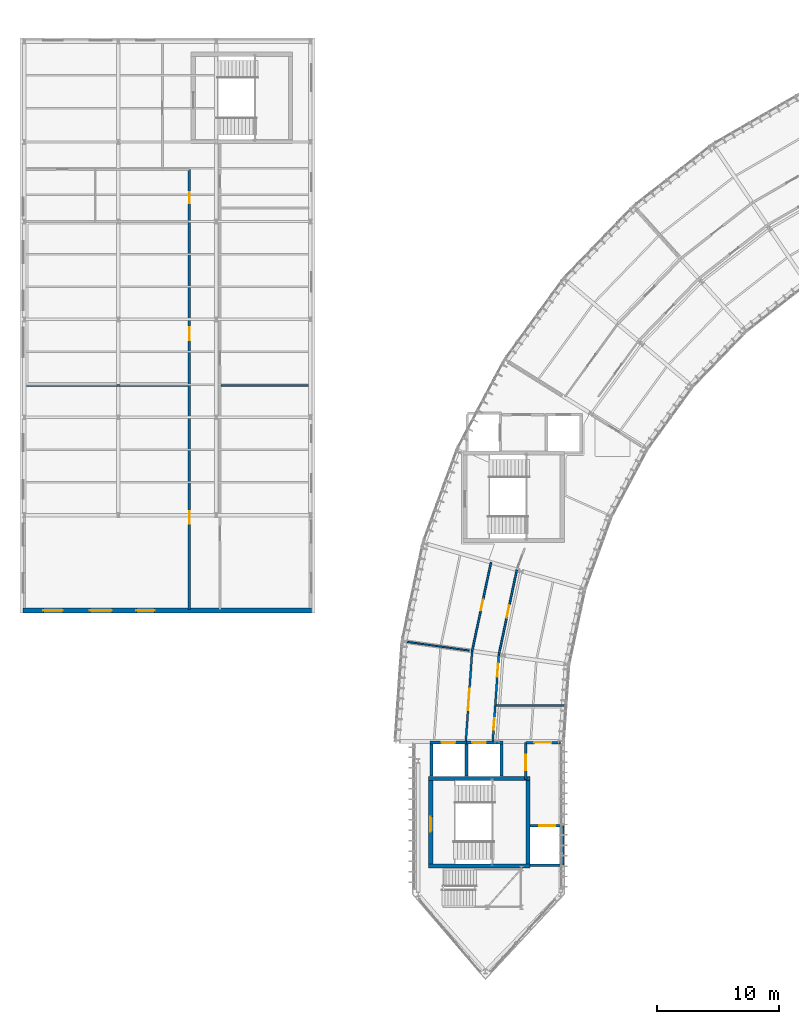
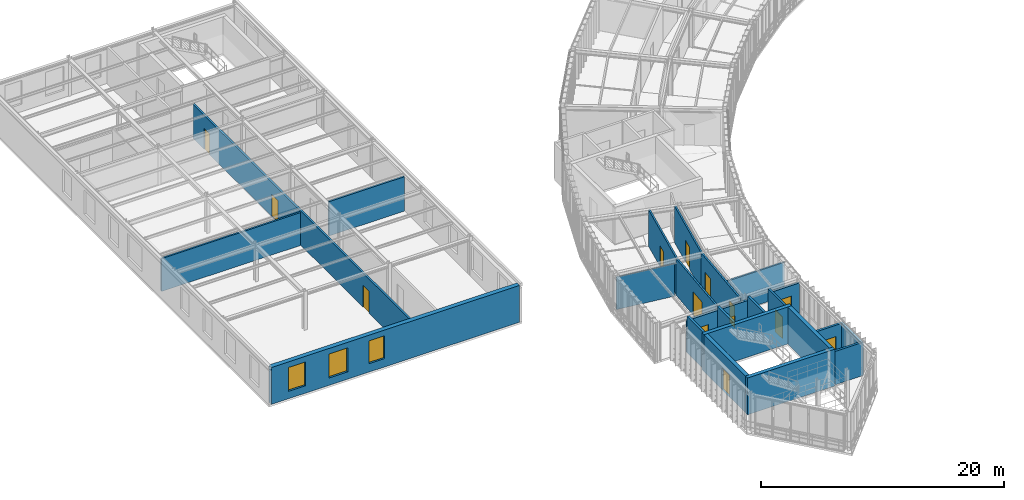
# One storey, part 27 of 41: 24 walls, 14 doors, 3 windows, 17 openings.
"""IFC4 building model written with IfcOpenShell, lengths in metres."""

from ifc_helpers import new_model, si_unit, direction, frame, frame_2d, origin, place, context, subcontext, project, spatial, rectangle, extrude, material, layer, layer_set, type_object, element, fill, save


model = new_model("IFC4")

# Units and contexts
model_context = context("Model", 3, precision=1e-05, world=origin(), true_north=direction((0.0, 1.0)))
body_context = subcontext(model_context, "Body", "Model", "MODEL_VIEW")
ifc_project = project(units=[si_unit("LENGTHUNIT", "METRE"), si_unit("AREAUNIT", "SQUARE_METRE"), si_unit("VOLUMEUNIT", "CUBIC_METRE"), si_unit("PLANEANGLEUNIT", "RADIAN"), si_unit("MASSUNIT", "GRAM", prefix="KILO"), si_unit("THERMODYNAMICTEMPERATUREUNIT", "KELVIN"), si_unit("POWERUNIT", "WATT")], contexts=[model_context])

# Site, building, storey
site_placement = place(None, origin())
site = spatial("IfcSite", under=ifc_project, at=site_placement, CompositionType="ELEMENT")
building_placement = place(site_placement, origin())
building = spatial("IfcBuilding", under=site, at=building_placement, Name="Solvatero Civic Police Headquarters", CompositionType="ELEMENT")
storey_placement = place(building_placement, frame((0.0, 0.0, 17.699951171875)))
storey = spatial("IfcBuildingStorey", under=building, at=storey_placement, Name="L04", CompositionType="ELEMENT", Elevation=17.699951171875)

# Wall, openings, windows
ifc_material_1 = material(Name="Cream Limestone Ashlar", Category="masonry")
ifc_layer_1 = layer(ifc_material_1, 0.419921875)
ifc_layer_set_1 = layer_set([ifc_layer_1], Name="Cream Limestone Ashlar")
wall_type_1 = type_object("IfcWallType", Name="WL-EXT-LIME-420", PredefinedType="SOLIDWALL", material=ifc_layer_set_1)
wall_1_placement = place(storey_placement, frame((4.719970703125, 36.7099609375, 0.0), z_axis=(0.0, 0.0, 1.0), x_axis=(1.0, 0.0, 0.0)))
wall_1 = element("IfcWall", 1, at=wall_1_placement, inside=storey, type_object=wall_type_1, Name="Exterior Wall WLE-L04-V6-S", PredefinedType="SOLIDWALL", context=body_context, shape_type="SweptSolid", body=[
    extrude(rectangle(XDim=23.56005859375, YDim=0.419921875, at=frame_2d((11.780029296875, 0.0))), origin(), (0.0, 0.0, 1.0), 3.699951171875),
])
opening_1_placement = place(wall_1_placement, frame((1.64990234375, 0.0, 0.739990234375)))
opening_1 = element("IfcOpeningElement", 2, at=opening_1_placement, cuts=wall_1, Name="Opening W-04", PredefinedType="OPENING", context=body_context, shape_type="SweptSolid", body=[
    extrude(rectangle(XDim=1.60009765625, YDim=2.39990234375, at=frame_2d((0.800048828125, 1.199951171875))), frame((0.0, 0.219970703125, 0.0), z_axis=(0.0, -1.0, 0.0), x_axis=(1.0, 0.0, 0.0)), (0.0, 0.0, 1.0), 0.43994140625),
])
opening_2_placement = place(wall_1_placement, frame((5.449951171875, 0.0, 0.739990234375)))
opening_2 = element("IfcOpeningElement", 3, at=opening_2_placement, cuts=wall_1, Name="Opening W-05", PredefinedType="OPENING", context=body_context, shape_type="SweptSolid", body=[
    extrude(rectangle(XDim=1.800048828125, YDim=2.39990234375, at=frame_2d((0.89990234375, 1.199951171875))), frame((0.0, 0.219970703125, 0.0), z_axis=(0.0, -1.0, 0.0), x_axis=(1.0, 0.0, 0.0)), (0.0, 0.0, 1.0), 0.43994140625),
])
opening_3_placement = place(wall_1_placement, frame((9.25, 0.0, 0.840087890625)))
opening_3 = element("IfcOpeningElement", 4, at=opening_3_placement, cuts=wall_1, Name="Opening W-03", PredefinedType="OPENING", context=body_context, shape_type="SweptSolid", body=[
    extrude(rectangle(XDim=1.5, YDim=2.300048828125, at=frame_2d((0.75, 1.14990234375))), frame((0.0, 0.219970703125, 0.0), z_axis=(0.0, -1.0, 0.0), x_axis=(1.0, 0.0, 0.0)), (0.0, 0.0, 1.0), 0.43994140625),
])
ifc_material_2 = material(Name="Anodized Bronze Aluminium", Category="aluminium")
window_type_1 = type_object("IfcWindowType", Name="WN-CL-150x230", PartitioningType="SINGLE_PANEL", PredefinedType="WINDOW", material=ifc_material_2)
window_1_placement = place(opening_3_placement, origin())
window_1 = element("IfcWindow", 5, at=window_1_placement, inside=storey, type_object=window_type_1, Name="Exterior Window 0120", OverallHeight=2.300048828125, OverallWidth=1.5, PartitioningType="SINGLE_PANEL", PredefinedType="WINDOW", context=body_context, shape_type="SweptSolid", body=[
    extrude(rectangle(XDim=1.5, YDim=2.300048828125, at=frame_2d((0.75, 1.14990234375))), frame((0.0, 0.030029296875, 0.0), z_axis=(0.0, -1.0, 0.0), x_axis=(1.0, 0.0, 0.0)), (0.0, 0.0, 1.0), 0.06005859375),
])
fill(opening_3, window_1)
window_type_2 = type_object("IfcWindowType", Name="WN-CL-160x240", PartitioningType="SINGLE_PANEL", PredefinedType="WINDOW", material=ifc_material_2)
window_2_placement = place(opening_1_placement, origin())
window_2 = element("IfcWindow", 6, at=window_2_placement, inside=storey, type_object=window_type_2, Name="Exterior Window 0118", OverallHeight=2.39990234375, OverallWidth=1.60009765625, PartitioningType="SINGLE_PANEL", PredefinedType="WINDOW", context=body_context, shape_type="SweptSolid", body=[
    extrude(rectangle(XDim=1.60009765625, YDim=2.39990234375, at=frame_2d((0.800048828125, 1.199951171875))), frame((0.0, 0.030029296875, 0.0), z_axis=(0.0, -1.0, 0.0), x_axis=(1.0, 0.0, 0.0)), (0.0, 0.0, 1.0), 0.06005859375),
])
fill(opening_1, window_2)
window_type_3 = type_object("IfcWindowType", Name="WN-CL-180x240", PartitioningType="SINGLE_PANEL", PredefinedType="WINDOW", material=ifc_material_2)
window_3_placement = place(opening_2_placement, origin())
window_3 = element("IfcWindow", 7, at=window_3_placement, inside=storey, type_object=window_type_3, Name="Exterior Window 0119", OverallHeight=2.39990234375, OverallWidth=1.800048828125, PartitioningType="SINGLE_PANEL", PredefinedType="WINDOW", context=body_context, shape_type="SweptSolid", body=[
    extrude(rectangle(XDim=1.800048828125, YDim=2.39990234375, at=frame_2d((0.89990234375, 1.199951171875))), frame((0.0, 0.030029296875, 0.0), z_axis=(0.0, -1.0, 0.0), x_axis=(1.0, 0.0, 0.0)), (0.0, 0.0, 1.0), 0.06005859375),
])
fill(opening_2, window_3)

# Wall
ifc_material_3 = material(Name="Gypsum Acoustic Stud", Category="gypsum")
ifc_layer_2 = layer(ifc_material_3, 0.1201171875)
ifc_layer_set_2 = layer_set([ifc_layer_2], Name="Gypsum Acoustic Stud")
wall_type_2 = type_object("IfcWallType", Name="WL-PTN-120", PredefinedType="PARTITIONING", material=ifc_layer_set_2)
wall_2_placement = place(storey_placement, frame((41.169189453125, 33.4248046875, 0.0), z_axis=(0.0, 0.0, 1.0), x_axis=(-0.990266484291, 0.13918437445, 0.0)))
element("IfcWall", 8, at=wall_2_placement, inside=storey, type_object=wall_type_2, Name="Interior Partition WLP-L04-ARC-RAD-B11", PredefinedType="PARTITIONING", context=body_context, shape_type="SweptSolid", body=[
    extrude(rectangle(XDim=5.14990234375, YDim=0.1201171875, at=frame_2d((2.574951171875, 0.0))), origin(), (0.0, 0.0, 1.0), 3.25),
])

# Wall, opening, door
ifc_layer_3 = layer(ifc_material_3, 0.14990234375)
ifc_layer_set_3 = layer_set([ifc_layer_3], Name="Gypsum Acoustic Stud")
wall_type_3 = type_object("IfcWallType", Name="WL-PTN-150", PredefinedType="PARTITIONING", material=ifc_layer_set_3)
wall_3_placement = place(storey_placement, frame((45.07177734375, 40.02978515625, 0.0), z_axis=(0.0, 0.0, 1.0), x_axis=(-0.207903987445, -0.978149238104, 0.0)))
wall_3 = element("IfcWall", 9, at=wall_3_placement, inside=storey, type_object=wall_type_3, Name="Interior Partition WLP-L04-ARC-CIN-B11", PredefinedType="PARTITIONING", context=body_context, shape_type="SweptSolid", body=[
    extrude(rectangle(XDim=7.10107421875, YDim=0.14990234375, at=frame_2d((3.550537109375, 0.0))), origin(), (0.0, 0.0, 1.0), 3.679931640625),
])
opening_4_placement = place(wall_3_placement, frame((2.98193359375, 0.0, 0.0)))
opening_4 = element("IfcOpeningElement", 10, at=opening_4_placement, cuts=wall_3, Name="Opening ID-06", PredefinedType="OPENING", context=body_context, shape_type="SweptSolid", body=[
    extrude(rectangle(XDim=1.02001953125, YDim=2.179931640625, at=frame_2d((0.510009765625, 1.08984375))), frame((0.0, 0.0849609375, 0.0), z_axis=(0.0, -1.0, 0.0), x_axis=(1.0, 0.0, 0.0)), (0.0, 0.0, 1.0), 0.169921875),
])
ifc_material_4 = material(Name="Powder-Coated Steel", Category="steel")
door_type_1 = type_object("IfcDoorType", Name="DR-LAB-102x218", OperationType="NOTDEFINED", PredefinedType="DOOR", material=ifc_material_4)
door_1_placement = place(opening_4_placement, origin())
door_1 = element("IfcDoor", 11, at=door_1_placement, inside=storey, type_object=door_type_1, Name="Interior Door DR-L04-ARC-IN-B11", OperationType="SINGLE_SWING_LEFT", OverallHeight=2.179931640625, OverallWidth=1.02001953125, PredefinedType="DOOR", context=body_context, shape_type="SweptSolid", body=[
    extrude(rectangle(XDim=1.02001953125, YDim=2.179931640625, at=frame_2d((0.510009765625, 1.08984375))), frame((0.0, 0.02490234375, 0.0), z_axis=(0.0, -1.0, 0.0), x_axis=(1.0, 0.0, 0.0)), (0.0, 0.0, 1.0), 0.050048828125),
])
fill(opening_4, door_1)

wall_4_placement = place(storey_placement, frame((42.95703125, 40.63623046875, 0.0), z_axis=(0.0, 0.0, 1.0), x_axis=(-0.207921820376, -0.978145447575, 0.0)))
wall_4 = element("IfcWall", 12, at=wall_4_placement, inside=storey, type_object=wall_type_3, Name="Interior Partition WLP-L04-ARC-COUT-B11", PredefinedType="PARTITIONING", context=body_context, shape_type="SweptSolid", body=[
    extrude(rectangle(XDim=7.407958984375, YDim=0.14990234375, at=frame_2d((3.7041015625, 0.0))), origin(), (0.0, 0.0, 1.0), 3.679931640625),
])
opening_5_placement = place(wall_4_placement, frame((3.111083984375, 0.0, 0.0)))
opening_5 = element("IfcOpeningElement", 13, at=opening_5_placement, cuts=wall_4, Name="Opening ID-02", PredefinedType="OPENING", context=body_context, shape_type="SweptSolid", body=[
    extrude(rectangle(XDim=0.89990234375, YDim=2.10009765625, at=frame_2d((0.449951171875, 1.050048828125))), frame((0.0, 0.0849609375, 0.0), z_axis=(0.0, -1.0, 0.0), x_axis=(1.0, 0.0, 0.0)), (0.0, 0.0, 1.0), 0.169921875),
])
ifc_material_5 = material(Name="Acoustic Oak Timber Veneer", Category="wood")
door_type_2 = type_object("IfcDoorType", Name="DR-OFF-090x210", OperationType="NOTDEFINED", PredefinedType="DOOR", material=ifc_material_5)
door_2_placement = place(opening_5_placement, origin())
door_2 = element("IfcDoor", 14, at=door_2_placement, inside=storey, type_object=door_type_2, Name="Interior Door DR-L04-ARC-OUT-B11", OperationType="SINGLE_SWING_RIGHT", OverallHeight=2.10009765625, OverallWidth=0.89990234375, PredefinedType="DOOR", context=body_context, shape_type="SweptSolid", body=[
    extrude(rectangle(XDim=0.89990234375, YDim=2.10009765625, at=frame_2d((0.449951171875, 1.050048828125))), frame((0.0, 0.02490234375, 0.0), z_axis=(0.0, -1.0, 0.0), x_axis=(1.0, 0.0, 0.0)), (0.0, 0.0, 1.0), 0.050048828125),
])
fill(opening_5, door_2)

# Walls
wall_5_placement = place(storey_placement, frame((43.374755859375, 28.929931640625, 0.0), z_axis=(0.0, 0.0, 1.0), x_axis=(1.0, 0.0, 0.0)))
element("IfcWall", 15, at=wall_5_placement, inside=storey, type_object=wall_type_3, Name="Interior Partition WLP-L04-ARC-WCDIV-B12", PredefinedType="PARTITIONING", context=body_context, shape_type="SweptSolid", body=[
    extrude(rectangle(XDim=5.630126953125, YDim=0.14990234375, at=frame_2d((2.81494140625, 0.0))), origin(), (0.0, 0.0, 1.0), 3.39794921875),
])
ifc_material_6 = material(Name="Concrete Blockwork", Category="masonry")
ifc_layer_4 = layer(ifc_material_6, 0.1650390625)
ifc_layer_set_4 = layer_set([ifc_layer_4], Name="Concrete Blockwork")
wall_type_4 = type_object("IfcWallType", Name="WL-PTN-165", PredefinedType="PARTITIONING", material=ifc_layer_set_4)
wall_6_placement = place(storey_placement, frame((5.0, 55.10009765625, 0.0), z_axis=(0.0, 0.0, 1.0), x_axis=(1.0, 0.0, 0.0)))
element("IfcWall", 16, at=wall_6_placement, inside=storey, type_object=wall_type_4, Name="Interior Partition WLP-L04-V6-H1", PredefinedType="PARTITIONING", context=body_context, shape_type="SweptSolid", body=[
    extrude(rectangle(XDim=13.199951171875, YDim=0.1650390625, at=frame_2d((6.60009765625, 0.0))), origin(), (0.0, 0.0, 1.0), 3.298095703125),
])
wall_7_placement = place(storey_placement, frame((20.89990234375, 55.10009765625, 0.0), z_axis=(0.0, 0.0, 1.0), x_axis=(1.0, 0.0, 0.0)))
element("IfcWall", 17, at=wall_7_placement, inside=storey, type_object=wall_type_4, Name="Interior Partition WLP-L04-V6-H2", PredefinedType="PARTITIONING", context=body_context, shape_type="SweptSolid", body=[
    extrude(rectangle(XDim=7.150146484375, YDim=0.1650390625, at=frame_2d((3.5751953125, 0.0))), origin(), (0.0, 0.0, 1.0), 3.449951171875),
])

# Wall, openings, doors
wall_8_placement = place(storey_placement, frame((43.595458984375, 33.083984375, 0.0), z_axis=(0.0, 0.0, 1.0), x_axis=(-0.069756597752, -0.997564041588, 0.0)))
wall_8 = element("IfcWall", 18, at=wall_8_placement, inside=storey, type_object=wall_type_4, Name="Interior Partition WLP-L04-ARC-CIN-B12", PredefinedType="PARTITIONING", context=body_context, shape_type="SweptSolid", body=[
    extrude(rectangle(XDim=7.101318359375, YDim=0.1650390625, at=frame_2d((3.55078125, 0.0))), origin(), (0.0, 0.0, 1.0), 3.679931640625),
])
opening_6_placement = place(wall_8_placement, frame((5.200927734375, 0.0, 0.0)))
opening_6 = element("IfcOpeningElement", 19, at=opening_6_placement, cuts=wall_8, Name="Opening ID-04", PredefinedType="OPENING", context=body_context, shape_type="SweptSolid", body=[
    extrude(rectangle(XDim=0.949951171875, YDim=2.14990234375, at=frame_2d((0.47509765625, 1.074951171875))), frame((0.0, 0.092529296875, 0.0), z_axis=(0.0, -1.0, 0.0), x_axis=(1.0, 0.0, 0.0)), (0.0, 0.0, 1.0), 0.18505859375),
])
opening_7_placement = place(wall_8_placement, frame((0.75, 0.0, 0.0)))
opening_7 = element("IfcOpeningElement", 20, at=opening_7_placement, cuts=wall_8, Name="Opening ID-07", PredefinedType="OPENING", context=body_context, shape_type="SweptSolid", body=[
    extrude(rectangle(XDim=1.050048828125, YDim=2.199951171875, at=frame_2d((0.52490234375, 1.10009765625))), frame((0.0, 0.092529296875, 0.0), z_axis=(0.0, -1.0, 0.0), x_axis=(1.0, 0.0, 0.0)), (0.0, 0.0, 1.0), 0.18505859375),
])
door_type_3 = type_object("IfcDoorType", Name="DR-ACC-095x215", OperationType="NOTDEFINED", PredefinedType="DOOR", material=ifc_material_5)
door_3_placement = place(opening_6_placement, origin())
door_3 = element("IfcDoor", 21, at=door_3_placement, inside=storey, type_object=door_type_3, Name="Interior Door DR-L04-ARC-WC-B12", OperationType="SINGLE_SWING_LEFT", OverallHeight=2.14990234375, OverallWidth=0.949951171875, PredefinedType="DOOR", context=body_context, shape_type="SweptSolid", body=[
    extrude(rectangle(XDim=0.949951171875, YDim=2.14990234375, at=frame_2d((0.47509765625, 1.074951171875))), frame((0.0, 0.02490234375, 0.0), z_axis=(0.0, -1.0, 0.0), x_axis=(1.0, 0.0, 0.0)), (0.0, 0.0, 1.0), 0.050048828125),
])
fill(opening_6, door_3)
door_type_4 = type_object("IfcDoorType", Name="DR-LAB-105x220", OperationType="NOTDEFINED", PredefinedType="DOOR", material=ifc_material_4)
door_4_placement = place(opening_7_placement, origin())
door_4 = element("IfcDoor", 22, at=door_4_placement, inside=storey, type_object=door_type_4, Name="Interior Door DR-L04-ARC-IN-B12", OperationType="SINGLE_SWING_RIGHT", OverallHeight=2.199951171875, OverallWidth=1.050048828125, PredefinedType="DOOR", context=body_context, shape_type="SweptSolid", body=[
    extrude(rectangle(XDim=1.050048828125, YDim=2.199951171875, at=frame_2d((0.52490234375, 1.10009765625))), frame((0.0, 0.02490234375, 0.0), z_axis=(0.0, -1.0, 0.0), x_axis=(1.0, 0.0, 0.0)), (0.0, 0.0, 1.0), 0.050048828125),
])
fill(opening_7, door_4)

# Wall, opening, door
wall_9_placement = place(storey_placement, frame((41.416748046875, 33.39013671875, 0.0), z_axis=(0.0, 0.0, 1.0), x_axis=(-0.069766817412, -0.997563326906, 0.0)))
wall_9 = element("IfcWall", 23, at=wall_9_placement, inside=storey, type_object=wall_type_4, Name="Interior Partition WLP-L04-ARC-COUT-B12", PredefinedType="PARTITIONING", context=body_context, shape_type="SweptSolid", body=[
    extrude(rectangle(XDim=7.408203125, YDim=0.1650390625, at=frame_2d((3.7041015625, 0.0))), origin(), (0.0, 0.0, 1.0), 3.679931640625),
])
opening_8_placement = place(wall_9_placement, frame((3.111083984375, 0.0, 0.0)))
opening_8 = element("IfcOpeningElement", 24, at=opening_8_placement, cuts=wall_9, Name="Opening ID-17", PredefinedType="OPENING", context=body_context, shape_type="SweptSolid", body=[
    extrude(rectangle(XDim=1.760009765625, YDim=2.360107421875, at=frame_2d((0.8798828125, 1.18017578125))), frame((0.0, 0.092529296875, 0.0), z_axis=(0.0, -1.0, 0.0), x_axis=(1.0, 0.0, 0.0)), (0.0, 0.0, 1.0), 0.18505859375),
])
door_type_5 = type_object("IfcDoorType", Name="DR-DBL-176x236", OperationType="NOTDEFINED", PredefinedType="DOOR", material=ifc_material_4)
door_5_placement = place(opening_8_placement, origin())
door_5 = element("IfcDoor", 25, at=door_5_placement, inside=storey, type_object=door_type_5, Name="Interior Door DR-L04-ARC-OUT-B12", OperationType="DOUBLE_DOOR_SINGLE_SWING", OverallHeight=2.360107421875, OverallWidth=1.760009765625, PredefinedType="DOOR", context=body_context, shape_type="SweptSolid", body=[
    extrude(rectangle(XDim=1.760009765625, YDim=2.360107421875, at=frame_2d((0.8798828125, 1.18017578125))), frame((0.0, 0.02490234375, 0.0), z_axis=(0.0, -1.0, 0.0), x_axis=(1.0, 0.0, 0.0)), (0.0, 0.0, 1.0), 0.050048828125),
])
fill(opening_8, door_5)

# Wall, openings, doors
ifc_layer_5 = layer(ifc_material_6, 0.179931640625)
ifc_layer_set_5 = layer_set([ifc_layer_5], Name="Concrete Blockwork")
wall_type_5 = type_object("IfcWallType", Name="WL-PTN-180", PredefinedType="PARTITIONING", material=ifc_layer_set_5)
wall_10_placement = place(storey_placement, frame((18.300048828125, 36.800048828125, 0.0), z_axis=(0.0, 0.0, 1.0), x_axis=(0.0, 1.0, 0.0)))
wall_10 = element("IfcWall", 26, at=wall_10_placement, inside=storey, type_object=wall_type_5, Name="Interior Partition WLP-L04-V6-CW", PredefinedType="PARTITIONING", context=body_context, shape_type="SweptSolid", body=[
    extrude(rectangle(XDim=35.949951171875, YDim=0.179931640625, at=frame_2d((17.97509765625, 0.0))), origin(), (0.0, 0.0, 1.0), 3.41796875),
])
opening_9_placement = place(wall_10_placement, frame((7.0, 0.0, 0.0)))
opening_9 = element("IfcOpeningElement", 27, at=opening_9_placement, cuts=wall_10, Name="Opening ID-06", PredefinedType="OPENING", context=body_context, shape_type="SweptSolid", body=[
    extrude(rectangle(XDim=1.02001953125, YDim=2.179931640625, at=frame_2d((0.510009765625, 1.08984375))), frame((0.0, 0.099853515625, 0.0), z_axis=(0.0, -1.0, 0.0), x_axis=(1.0, 0.0, 0.0)), (0.0, 0.0, 1.0), 0.199951171875),
])
opening_10_placement = place(wall_10_placement, frame((22.0, 0.0, 0.0)))
opening_10 = element("IfcOpeningElement", 28, at=opening_10_placement, cuts=wall_10, Name="Opening ID-07", PredefinedType="OPENING", context=body_context, shape_type="SweptSolid", body=[
    extrude(rectangle(XDim=1.050048828125, YDim=2.199951171875, at=frame_2d((0.52490234375, 1.10009765625))), frame((0.0, 0.099853515625, 0.0), z_axis=(0.0, -1.0, 0.0), x_axis=(1.0, 0.0, 0.0)), (0.0, 0.0, 1.0), 0.199951171875),
])
opening_11_placement = place(wall_10_placement, frame((33.199951171875, 0.0, 0.0)))
opening_11 = element("IfcOpeningElement", 29, at=opening_11_placement, cuts=wall_10, Name="Opening ID-02", PredefinedType="OPENING", context=body_context, shape_type="SweptSolid", body=[
    extrude(rectangle(XDim=0.89990234375, YDim=2.10009765625, at=frame_2d((0.449951171875, 1.050048828125))), frame((0.0, 0.099853515625, 0.0), z_axis=(0.0, -1.0, 0.0), x_axis=(1.0, 0.0, 0.0)), (0.0, 0.0, 1.0), 0.199951171875),
])
door_6_placement = place(opening_9_placement, origin())
door_6 = element("IfcDoor", 30, at=door_6_placement, inside=storey, type_object=door_type_1, Name="Interior Door DR-L04-V6-SW", OperationType="SINGLE_SWING_LEFT", OverallHeight=2.179931640625, OverallWidth=1.02001953125, PredefinedType="DOOR", context=body_context, shape_type="SweptSolid", body=[
    extrude(rectangle(XDim=1.02001953125, YDim=2.179931640625, at=frame_2d((0.510009765625, 1.08984375))), frame((0.0, 0.02490234375, 0.0), z_axis=(0.0, -1.0, 0.0), x_axis=(1.0, 0.0, 0.0)), (0.0, 0.0, 1.0), 0.050048828125),
])
fill(opening_9, door_6)
door_7_placement = place(opening_10_placement, origin())
door_7 = element("IfcDoor", 31, at=door_7_placement, inside=storey, type_object=door_type_4, Name="Interior Door DR-L04-V6-NW", OperationType="SINGLE_SWING_RIGHT", OverallHeight=2.199951171875, OverallWidth=1.050048828125, PredefinedType="DOOR", context=body_context, shape_type="SweptSolid", body=[
    extrude(rectangle(XDim=1.050048828125, YDim=2.199951171875, at=frame_2d((0.52490234375, 1.10009765625))), frame((0.0, 0.02490234375, 0.0), z_axis=(0.0, -1.0, 0.0), x_axis=(1.0, 0.0, 0.0)), (0.0, 0.0, 1.0), 0.050048828125),
])
fill(opening_10, door_7)
door_8_placement = place(opening_11_placement, origin())
door_8 = element("IfcDoor", 32, at=door_8_placement, inside=storey, type_object=door_type_2, Name="Interior Door DR-L04-WCF", OperationType="SINGLE_SWING_RIGHT", OverallHeight=2.10009765625, OverallWidth=0.89990234375, PredefinedType="DOOR", context=body_context, shape_type="SweptSolid", body=[
    extrude(rectangle(XDim=0.89990234375, YDim=2.10009765625, at=frame_2d((0.449951171875, 1.050048828125))), frame((0.0, 0.02490234375, 0.0), z_axis=(0.0, -1.0, 0.0), x_axis=(1.0, 0.0, 0.0)), (0.0, 0.0, 1.0), 0.050048828125),
])
fill(opening_11, door_8)

# Wall, opening, door
ifc_layer_6 = layer(ifc_material_6, 0.199951171875)
ifc_layer_set_6 = layer_set([ifc_layer_6], Name="Concrete Blockwork")
wall_type_6 = type_object("IfcWallType", Name="WL-PTN-200", PredefinedType="PARTITIONING", material=ifc_layer_set_6)
wall_11_placement = place(storey_placement, frame((45.800048828125, 22.89990234375, 0.0), z_axis=(0.0, 0.0, 1.0), x_axis=(0.0, 1.0, 0.0)))
wall_11 = element("IfcWall", 33, at=wall_11_placement, inside=storey, type_object=wall_type_6, Name="Interior Partition WLP-FFL-C1-L04-W", PredefinedType="PARTITIONING", context=body_context, shape_type="SweptSolid", body=[
    extrude(rectangle(XDim=3.0, YDim=0.199951171875, at=frame_2d((1.5, 0.0))), origin(), (0.0, 0.0, 1.0), 3.679931640625),
])
opening_12_placement = place(wall_11_placement, frame((0.75, 0.0, 0.0)))
opening_12 = element("IfcOpeningElement", 34, at=opening_12_placement, cuts=wall_11, Name="Opening FD-01", PredefinedType="OPENING", context=body_context, shape_type="SweptSolid", body=[
    extrude(rectangle(XDim=1.25, YDim=2.199951171875, at=frame_2d((0.625, 1.10009765625))), frame((0.0, 0.10986328125, 0.0), z_axis=(0.0, -1.0, 0.0), x_axis=(1.0, 0.0, 0.0)), (0.0, 0.0, 1.0), 0.219970703125),
])
door_type_6 = type_object("IfcDoorType", Name="DR-STR-125x220", OperationType="NOTDEFINED", PredefinedType="DOOR", material=ifc_material_4)
door_9_placement = place(opening_12_placement, origin())
door_9 = element("IfcDoor", 35, at=door_9_placement, inside=storey, type_object=door_type_6, Name="Interior Door DR-FFL-C1-L04-W", OperationType="SINGLE_SWING_LEFT", OverallHeight=2.199951171875, OverallWidth=1.25, PredefinedType="DOOR", context=body_context, shape_type="SweptSolid", body=[
    extrude(rectangle(XDim=1.25, YDim=2.199951171875, at=frame_2d((0.625, 1.10009765625))), frame((0.0, 0.02490234375, 0.0), z_axis=(0.0, -1.0, 0.0), x_axis=(1.0, 0.0, 0.0)), (0.0, 0.0, 1.0), 0.050048828125),
])
fill(opening_12, door_9)

wall_12_placement = place(storey_placement, frame((45.800048828125, 25.89990234375, 0.0), z_axis=(0.0, 0.0, 1.0), x_axis=(1.0, 0.0, 0.0)))
wall_12 = element("IfcWall", 36, at=wall_12_placement, inside=storey, type_object=wall_type_6, Name="Interior Partition WLP-FFL-C1-L04-N", PredefinedType="PARTITIONING", context=body_context, shape_type="SweptSolid", body=[
    extrude(rectangle(XDim=2.849853515625, YDim=0.199951171875, at=frame_2d((1.4248046875, 0.0))), origin(), (0.0, 0.0, 1.0), 3.300048828125),
])
opening_13_placement = place(wall_12_placement, frame((0.699951171875, 0.0, 0.0)))
opening_13 = element("IfcOpeningElement", 37, at=opening_13_placement, cuts=wall_12, Name="Opening FD-02", PredefinedType="OPENING", context=body_context, shape_type="SweptSolid", body=[
    extrude(rectangle(XDim=1.39990234375, YDim=2.25, at=frame_2d((0.699951171875, 1.125))), frame((0.0, 0.10986328125, 0.0), z_axis=(0.0, -1.0, 0.0), x_axis=(1.0, 0.0, 0.0)), (0.0, 0.0, 1.0), 0.219970703125),
])
door_type_7 = type_object("IfcDoorType", Name="DR-LOB-140x225", OperationType="NOTDEFINED", PredefinedType="DOOR", material=ifc_material_4)
door_10_placement = place(opening_13_placement, origin())
door_10 = element("IfcDoor", 38, at=door_10_placement, inside=storey, type_object=door_type_7, Name="Interior Door DR-FFL-C1-L04-ACC", OperationType="DOUBLE_DOOR_SINGLE_SWING", OverallHeight=2.25, OverallWidth=1.39990234375, PredefinedType="DOOR", context=body_context, shape_type="SweptSolid", body=[
    extrude(rectangle(XDim=1.39990234375, YDim=2.25, at=frame_2d((0.699951171875, 1.125))), frame((0.0, 0.02490234375, 0.0), z_axis=(0.0, -1.0, 0.0), x_axis=(1.0, 0.0, 0.0)), (0.0, 0.0, 1.0), 0.050048828125),
])
fill(opening_13, door_10)

# Wall
ifc_material_7 = material(Name="Concrete C35/45", Category="concrete")
ifc_layer_7 = layer(ifc_material_7, 0.219970703125)
ifc_layer_set_7 = layer_set([ifc_layer_7], Name="Concrete C35/45")
wall_type_7 = type_object("IfcWallType", Name="WL-SHF-220", PredefinedType="PARTITIONING", material=ifc_layer_set_7)
wall_13_placement = place(storey_placement, frame((46.159912109375, 15.889892578125, 0.0), z_axis=(0.0, 0.0, 1.0), x_axis=(1.0, 0.0, 0.0)))
element("IfcWall", 39, at=wall_13_placement, inside=storey, type_object=wall_type_7, Name="Lift Shaft Wall WLS-FL-01-L04-S", PredefinedType="PARTITIONING", context=body_context, shape_type="SweptSolid", body=[
    extrude(rectangle(XDim=2.760009765625, YDim=0.219970703125, at=frame_2d((1.3798828125, 0.0))), origin(), (0.0, 0.0, 1.0), 3.338134765625),
])

# Wall, opening, door
wall_14_placement = place(storey_placement, frame((46.159912109375, 19.110107421875, 0.0), z_axis=(0.0, 0.0, 1.0), x_axis=(1.0, 0.0, 0.0)))
wall_14 = element("IfcWall", 40, at=wall_14_placement, inside=storey, type_object=wall_type_7, Name="Lift Shaft Wall WLS-FL-01-L04-N", PredefinedType="PARTITIONING", context=body_context, shape_type="SweptSolid", body=[
    extrude(rectangle(XDim=2.760009765625, YDim=0.219970703125, at=frame_2d((1.3798828125, 0.0))), origin(), (0.0, 0.0, 1.0), 3.338134765625),
])
opening_14_placement = place(wall_14_placement, frame((0.72998046875, 0.0, 0.0)))
opening_14 = element("IfcOpeningElement", 41, at=opening_14_placement, cuts=wall_14, Name="Opening LD-02", PredefinedType="OPENING", context=body_context, shape_type="SweptSolid", body=[
    extrude(rectangle(XDim=1.300048828125, YDim=2.199951171875, at=frame_2d((0.64990234375, 1.10009765625))), frame((0.0, 0.119873046875, 0.0), z_axis=(0.0, -1.0, 0.0), x_axis=(1.0, 0.0, 0.0)), (0.0, 0.0, 1.0), 0.239990234375),
])
ifc_material_8 = material(Name="Stainless Steel Grade 316", Category="steel")
door_type_8 = type_object("IfcDoorType", Name="DR-LFT-130x220", OperationType="DOUBLE_DOOR_SLIDING", PredefinedType="DOOR", material=ifc_material_8)
door_11_placement = place(opening_14_placement, origin())
door_11 = element("IfcDoor", 42, at=door_11_placement, inside=storey, type_object=door_type_8, Name="Interior Door DR-LFT-FL-01-L04", OperationType="DOUBLE_DOOR_SLIDING", OverallHeight=2.199951171875, OverallWidth=1.300048828125, PredefinedType="DOOR", context=body_context, shape_type="SweptSolid", body=[
    extrude(rectangle(XDim=1.300048828125, YDim=2.199951171875, at=frame_2d((0.64990234375, 1.10009765625))), frame((0.0, 0.02490234375, 0.0), z_axis=(0.0, -1.0, 0.0), x_axis=(1.0, 0.0, 0.0)), (0.0, 0.0, 1.0), 0.050048828125),
])
fill(opening_14, door_11)

# Wall
wall_15_placement = place(storey_placement, frame((48.81005859375, 16.0, 0.0), z_axis=(0.0, 0.0, 1.0), x_axis=(0.0, 1.0, 0.0)))
element("IfcWall", 43, at=wall_15_placement, inside=storey, type_object=wall_type_7, Name="Lift Shaft Wall WLS-FL-01-L04-E", PredefinedType="PARTITIONING", context=body_context, shape_type="SweptSolid", body=[
    extrude(rectangle(XDim=3.0, YDim=0.219970703125, at=frame_2d((1.5, 0.0))), origin(), (0.0, 0.0, 1.0), 3.340087890625),
])

# Wall, opening, door
wall_16_placement = place(storey_placement, frame((37.97998046875, 25.909912109375, 0.0), z_axis=(0.0, 0.0, 1.0), x_axis=(1.0, 0.0, 0.0)))
wall_16 = element("IfcWall", 44, at=wall_16_placement, inside=storey, type_object=wall_type_7, Name="Lift Shaft Wall WLS-LP-01-L04-N", PredefinedType="PARTITIONING", context=body_context, shape_type="SweptSolid", body=[
    extrude(rectangle(XDim=2.969970703125, YDim=0.219970703125, at=frame_2d((1.48486328125, 0.0))), origin(), (0.0, 0.0, 1.0), 3.25),
])
opening_15_placement = place(wall_16_placement, frame((0.93505859375, 0.0, 0.0)))
opening_15 = element("IfcOpeningElement", 45, at=opening_15_placement, cuts=wall_16, Name="Opening LD-01", PredefinedType="OPENING", context=body_context, shape_type="SweptSolid", body=[
    extrude(rectangle(XDim=1.10009765625, YDim=2.14990234375, at=frame_2d((0.550048828125, 1.074951171875))), frame((0.0, 0.119873046875, 0.0), z_axis=(0.0, -1.0, 0.0), x_axis=(1.0, 0.0, 0.0)), (0.0, 0.0, 1.0), 0.239990234375),
])
door_type_9 = type_object("IfcDoorType", Name="DR-LFT-110x215", OperationType="DOUBLE_DOOR_SLIDING", PredefinedType="DOOR", material=ifc_material_8)
door_12_placement = place(opening_15_placement, origin())
door_12 = element("IfcDoor", 46, at=door_12_placement, inside=storey, type_object=door_type_9, Name="Interior Door DR-LFT-LP-01-L04", OperationType="DOUBLE_DOOR_SLIDING", OverallHeight=2.14990234375, OverallWidth=1.10009765625, PredefinedType="DOOR", context=body_context, shape_type="SweptSolid", body=[
    extrude(rectangle(XDim=1.10009765625, YDim=2.14990234375, at=frame_2d((0.550048828125, 1.074951171875))), frame((0.0, 0.02490234375, 0.0), z_axis=(0.0, -1.0, 0.0), x_axis=(1.0, 0.0, 0.0)), (0.0, 0.0, 1.0), 0.050048828125),
])
fill(opening_15, door_12)

# Walls
for number, where, z_axis, x_axis, name in (
    (47, (38.090087890625, 23.159912109375, 0.0), (0.0, 0.0, 1.0), (0.0, 1.0, 0.0), "Lift Shaft Wall WLS-LP-01-L04-W"),
    (48, (40.949951171875, 23.159912109375, 0.0), (0.0, 0.0, 1.0), (0.0, 1.0, 0.0), "Lift Shaft Wall WLS-LP-01-L04-E"),
):
    element("IfcWall", number, at=place(storey_placement, frame(where, z_axis=z_axis, x_axis=x_axis)), inside=storey, type_object=wall_type_7, Name=name, PredefinedType="PARTITIONING", context=body_context, shape_type="SweptSolid", body=[
        extrude(rectangle(XDim=2.64013671875, YDim=0.219970703125, at=frame_2d((1.320068359375, 0.0))), origin(), (0.0, 0.0, 1.0), 3.679931640625),
    ])

# Wall, opening, door
wall_17_placement = place(storey_placement, frame((40.949951171875, 25.909912109375, 0.0), z_axis=(0.0, 0.0, 1.0), x_axis=(1.0, 0.0, 0.0)))
wall_17 = element("IfcWall", 49, at=wall_17_placement, inside=storey, type_object=wall_type_7, Name="Lift Shaft Wall WLS-LP-02-L04-N", PredefinedType="PARTITIONING", context=body_context, shape_type="SweptSolid", body=[
    extrude(rectangle(XDim=2.969970703125, YDim=0.219970703125, at=frame_2d((1.48486328125, 0.0))), origin(), (0.0, 0.0, 1.0), 3.25),
])
opening_16_placement = place(wall_17_placement, frame((0.485107421875, 0.0, 0.0)))
opening_16 = element("IfcOpeningElement", 50, at=opening_16_placement, cuts=wall_17, Name="Opening LD-01", PredefinedType="OPENING", context=body_context, shape_type="SweptSolid", body=[
    extrude(rectangle(XDim=1.10009765625, YDim=2.14990234375, at=frame_2d((0.550048828125, 1.074951171875))), frame((0.0, 0.119873046875, 0.0), z_axis=(0.0, -1.0, 0.0), x_axis=(1.0, 0.0, 0.0)), (0.0, 0.0, 1.0), 0.239990234375),
])
door_13_placement = place(opening_16_placement, origin())
door_13 = element("IfcDoor", 51, at=door_13_placement, inside=storey, type_object=door_type_9, Name="Interior Door DR-LFT-LP-02-L04", OperationType="DOUBLE_DOOR_SLIDING", OverallHeight=2.14990234375, OverallWidth=1.10009765625, PredefinedType="DOOR", context=body_context, shape_type="SweptSolid", body=[
    extrude(rectangle(XDim=1.10009765625, YDim=2.14990234375, at=frame_2d((0.550048828125, 1.074951171875))), frame((0.0, 0.02490234375, 0.0), z_axis=(0.0, -1.0, 0.0), x_axis=(1.0, 0.0, 0.0)), (0.0, 0.0, 1.0), 0.050048828125),
])
fill(opening_16, door_13)

# Walls
wall_18_placement = place(storey_placement, frame((43.81005859375, 23.159912109375, 0.0), z_axis=(0.0, 0.0, 1.0), x_axis=(0.0, 1.0, 0.0)))
element("IfcWall", 52, at=wall_18_placement, inside=storey, type_object=wall_type_7, Name="Lift Shaft Wall WLS-LP-02-L04-E", PredefinedType="PARTITIONING", context=body_context, shape_type="SweptSolid", body=[
    extrude(rectangle(XDim=2.64013671875, YDim=0.219970703125, at=frame_2d((1.320068359375, 0.0))), origin(), (0.0, 0.0, 1.0), 3.679931640625),
])
ifc_material_9 = material(Name="Concrete C40/50", Category="concrete")
ifc_layer_8 = layer(ifc_material_9, 0.35009765625)
ifc_layer_set_8 = layer_set([ifc_layer_8], Name="Concrete C40/50")
wall_type_8 = type_object("IfcWallType", Name="WL-SHR-350", PredefinedType="SHEAR", material=ifc_layer_set_8)
for number, where, z_axis, x_axis, name in (
    (53, (37.85009765625, 15.824951171875, 0.0), (0.0, 0.0, 1.0), (1.0, 0.0, 0.0), "Core C1 Shear Wall S L04"),
    (54, (37.85009765625, 22.97509765625, 0.0), (0.0, 0.0, 1.0), (1.0, 0.0, 0.0), "Core C1 Shear Wall N L04"),
):
    element("IfcWall", number, at=place(storey_placement, frame(where, z_axis=z_axis, x_axis=x_axis)), inside=storey, type_object=wall_type_8, Name=name, PredefinedType="SHEAR", context=body_context, shape_type="SweptSolid", body=[
        extrude(rectangle(XDim=8.2998046875, YDim=0.35009765625, at=frame_2d((4.14990234375, 0.0))), origin(), (0.0, 0.0, 1.0), 3.699951171875),
    ])

# Wall, opening, door
wall_19_placement = place(storey_placement, frame((38.02490234375, 16.0, 0.0), z_axis=(0.0, 0.0, 1.0), x_axis=(0.0, 1.0, 0.0)))
wall_19 = element("IfcWall", 55, at=wall_19_placement, inside=storey, type_object=wall_type_8, Name="Core C1 Shear Wall W L04", PredefinedType="SHEAR", context=body_context, shape_type="SweptSolid", body=[
    extrude(rectangle(XDim=6.800048828125, YDim=0.35009765625, at=frame_2d((3.39990234375, 0.0))), origin(), (0.0, 0.0, 1.0), 3.699951171875),
])
opening_17_placement = place(wall_19_placement, frame((2.60009765625, 0.0, 0.0)))
opening_17 = element("IfcOpeningElement", 56, at=opening_17_placement, cuts=wall_19, Name="Opening FD-01", PredefinedType="OPENING", context=body_context, shape_type="SweptSolid", body=[
    extrude(rectangle(XDim=1.25, YDim=2.199951171875, at=frame_2d((0.625, 1.10009765625))), frame((0.0, 0.18505859375, 0.0), z_axis=(0.0, -1.0, 0.0), x_axis=(1.0, 0.0, 0.0)), (0.0, 0.0, 1.0), 0.3701171875),
])
door_14_placement = place(opening_17_placement, origin())
door_14 = element("IfcDoor", 57, at=door_14_placement, inside=storey, type_object=door_type_6, Name="Interior Door DR-STR-C1-L04", OperationType="SINGLE_SWING_LEFT", OverallHeight=2.199951171875, OverallWidth=1.25, PredefinedType="DOOR", context=body_context, shape_type="SweptSolid", body=[
    extrude(rectangle(XDim=1.25, YDim=2.199951171875, at=frame_2d((0.625, 1.10009765625))), frame((0.0, 0.02490234375, 0.0), z_axis=(0.0, -1.0, 0.0), x_axis=(1.0, 0.0, 0.0)), (0.0, 0.0, 1.0), 0.050048828125),
])
fill(opening_17, door_14)

# Wall
wall_20_placement = place(storey_placement, frame((45.97509765625, 16.0, 0.0), z_axis=(0.0, 0.0, 1.0), x_axis=(0.0, 1.0, 0.0)))
element("IfcWall", 58, at=wall_20_placement, inside=storey, type_object=wall_type_8, Name="Core C1 Shear Wall E L04", PredefinedType="SHEAR", context=body_context, shape_type="SweptSolid", body=[
    extrude(rectangle(XDim=6.800048828125, YDim=0.35009765625, at=frame_2d((3.39990234375, 0.0))), origin(), (0.0, 0.0, 1.0), 3.699951171875),
])

save(model, "model.ifc")
